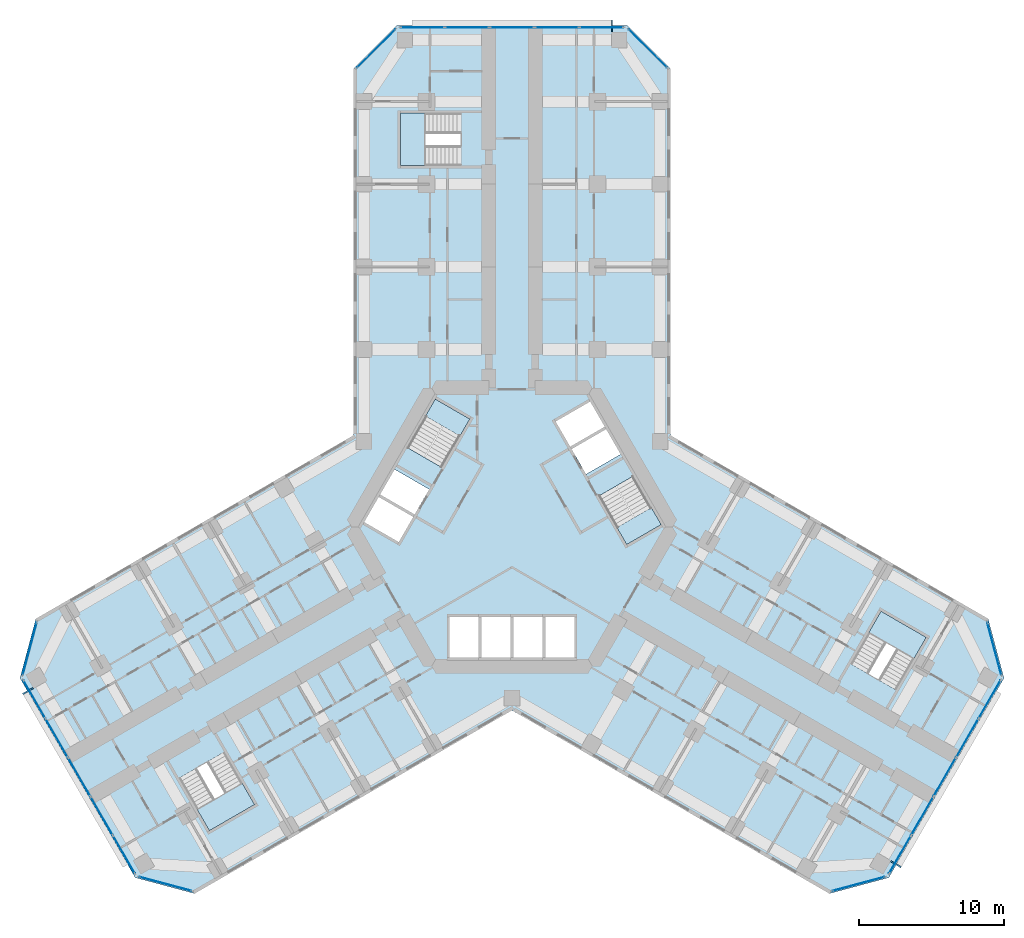
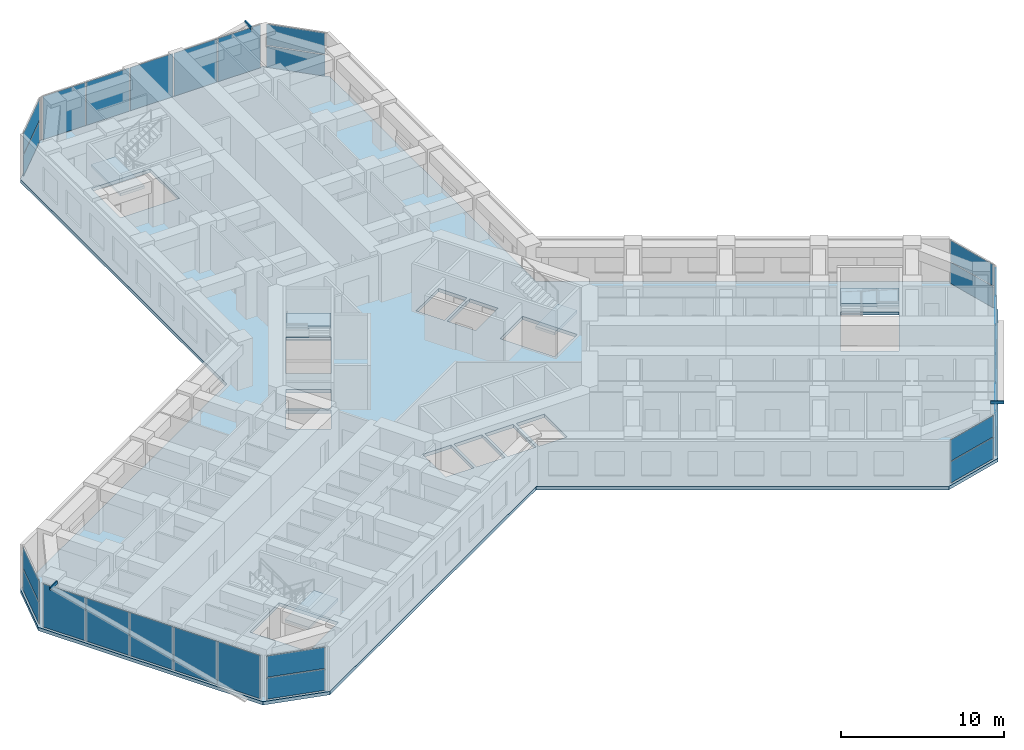
# One storey, part 7 of 18: 27 plates, 6 slabs, 3 members, 14 elements without a shape of their own.
"""IFC4 building model written with IfcOpenShell, lengths in metres."""

from ifc_helpers import new_model, si_unit, direction, frame, origin, origin_2d, place, context, subcontext, project, spatial, polyline, rectangle, hollow_rectangle, outline, extrude, material, layer, layer_set, material_profile, profile_set, type_object, element, aggregate, save


model = new_model("IFC4")

# Units and contexts
model_context = context("Model", 3, precision=1e-05, world=origin(), true_north=direction((0.0, 1.0)))
body_context = subcontext(model_context, "Body", "Model", "MODEL_VIEW")
ifc_project = project(units=[si_unit("LENGTHUNIT", "METRE"), si_unit("AREAUNIT", "SQUARE_METRE"), si_unit("VOLUMEUNIT", "CUBIC_METRE"), si_unit("PLANEANGLEUNIT", "RADIAN"), si_unit("MASSUNIT", "GRAM", prefix="KILO")], contexts=[model_context])

# Site, building, storey
site_placement = place(None, origin())
site = spatial("IfcSite", under=ifc_project, at=site_placement, CompositionType="ELEMENT")
building_placement = place(site_placement, origin())
building = spatial("IfcBuilding", under=site, at=building_placement, Name="Kosmar Iwan School Tower", CompositionType="ELEMENT")
storey_placement = place(building_placement, frame((0.0, 0.0, 25.199951171875)))
storey = spatial("IfcBuildingStorey", under=building, at=storey_placement, Name="L05", CompositionType="ELEMENT", Elevation=25.199951171875)

# Members
ifc_material_1 = material(Name="Steel S355", Category="steel")
ifc_material_profile = material_profile(ifc_material_1, hollow_rectangle(XDim=0.10009765625, YDim=0.199951171875, WallThickness=0.008056640625, at=origin_2d()), Name="RHS 200x100x8")
ifc_profile_set = profile_set([ifc_material_profile], Name="Steel S355")
member_type = type_object("IfcMemberType", Name="Fin bracket RHS 200x100", PredefinedType="USERDEFINED", material=ifc_profile_set)
for number, where, z_axis, x_axis, name in (
    (1, (26.125732421875, -23.049072265625, 3.47509765625), (0.865989634427, -0.500061949227, 0.0), (0.500061949227, 0.865989634427, 0.0), "Fin bracket L06"),
    (2, (6.898193359375, 34.14990234375, 3.47509765625), (0.0, 1.0, 0.0), (-1.0, 0.0, 0.0), "Fin bracket L06"),
):
    element("IfcMember", number, at=place(storey_placement, frame(where, z_axis=z_axis, x_axis=x_axis)), inside=storey, type_object=member_type, Name=name, ObjectType="FIN BRACKET", PredefinedType="USERDEFINED", context=body_context, shape_type="SweptSolid", body=[
        extrude(hollow_rectangle(XDim=0.10009765625, YDim=0.199951171875, WallThickness=0.008056640625, at=origin_2d()), origin(), (0.0, 0.0, 1.0), 0.830078125),
    ])
member_placement = place(storey_placement, frame((-33.02392578125, -11.10107421875, 3.47509765625), z_axis=(-0.866117008034, -0.49984130321, 0.0), x_axis=(0.49984130321, -0.866117008034, 0.0)))
element("IfcMember", 3, at=member_placement, inside=storey, type_object=member_type, Name="Fin bracket L06", ObjectType="FIN BRACKET", PredefinedType="USERDEFINED", context=body_context, shape_type="SweptSolid", body=[
    extrude(hollow_rectangle(XDim=0.10009765625, YDim=0.199951171875, WallThickness=0.008056640625, at=origin_2d()), origin(), (0.0, 0.0, 1.0), 0.829833984375),
])

# Curtain wall, plates
ifc_material_2 = material(Name="Dark glass in black aluminium frame", Category="aluminium")
curtain_wall_type_1 = type_object("IfcCurtainWallType", Name="Chamfer curtain wall dark glass", PredefinedType="USERDEFINED", material=ifc_material_2)
curtain_wall_1_placement = place(storey_placement, origin())
curtain_wall_1 = element("IfcCurtainWall", 4, at=curtain_wall_1_placement, inside=storey, type_object=curtain_wall_type_1, Name="Curtain wall L05-F02", ObjectType="FACETED CURTAIN WALL", PredefinedType="USERDEFINED")
ifc_material_3 = material(Name="Dark glass", Category="glass")
ifc_layer_1 = layer(ifc_material_3, 0.028076171875)
ifc_layer_set_1 = layer_set([ifc_layer_1], Name="Dark glass panel 28")
plate_type = type_object("IfcPlateType", Name="Dark glass panel 28", PredefinedType="CURTAIN_PANEL", material=ifc_layer_set_1)
plate_1_placement = place(storey_placement, frame((23.908203125, -24.61328125, 0.06005859375), z_axis=(0.0, 0.0, 1.0), x_axis=(0.965925875495, 0.258818861462, 0.0)))
plate_1 = element("IfcPlate", 5, at=plate_1_placement, type_object=plate_type, Name="CW2 panel 1.1", PredefinedType="CURTAIN_PANEL", context=body_context, shape_type="SweptSolid", body=[
    extrude(rectangle(XDim=3.708984375, YDim=0.028076171875, at=origin_2d()), origin(), (0.0, 0.0, 1.0), 1.5849609375),
])
plate_2_placement = place(storey_placement, frame((23.908203125, -24.61328125, 1.705078125), z_axis=(0.0, 0.0, 1.0), x_axis=(0.965925875495, 0.258818861462, 0.0)))
plate_2 = element("IfcPlate", 6, at=plate_2_placement, type_object=plate_type, Name="CW2 panel 1.2", PredefinedType="CURTAIN_PANEL", context=body_context, shape_type="SweptSolid", body=[
    extrude(rectangle(XDim=3.708984375, YDim=0.028076171875, at=origin_2d()), origin(), (0.0, 0.0, 1.0), 1.5849609375),
])
aggregate(curtain_wall_1, [plate_1, plate_2])

ifc_material_4 = material(Name="Dark glass in black aluminium frame", Category="aluminium")
curtain_wall_type_2 = type_object("IfcCurtainWallType", Name="Tower curtain wall dark glass", PredefinedType="USERDEFINED", material=ifc_material_4)
curtain_wall_2_placement = place(storey_placement, origin())
curtain_wall_2 = element("IfcCurtainWall", 7, at=curtain_wall_2_placement, inside=storey, type_object=curtain_wall_type_2, Name="Curtain wall L05-F03", ObjectType="UNITISED CURTAIN WALL", PredefinedType="USERDEFINED")
plate_3_placement = place(storey_placement, frame((26.76513671875, -22.591552734375, 0.06005859375), z_axis=(0.0, 0.0, 1.0), x_axis=(0.499999997325, 0.866025405329, 0.0)))
plate_3 = element("IfcPlate", 8, at=plate_3_placement, type_object=plate_type, Name="CW1 panel 1.1", PredefinedType="CURTAIN_PANEL", context=body_context, shape_type="SweptSolid", body=[
    extrude(rectangle(XDim=3.001708984375, YDim=0.028076171875, at=origin_2d()), origin(), (0.0, 0.0, 1.0), 3.22998046875),
])
plate_4_placement = place(storey_placement, frame((28.306640625, -19.921630859375, 0.06005859375), z_axis=(0.0, 0.0, 1.0), x_axis=(0.499999997325, 0.866025405329, 0.0)))
plate_4 = element("IfcPlate", 9, at=plate_4_placement, type_object=plate_type, Name="CW1 panel 2.1", PredefinedType="CURTAIN_PANEL", context=body_context, shape_type="SweptSolid", body=[
    extrude(rectangle(XDim=3.0341796875, YDim=0.028076171875, at=origin_2d()), origin(), (0.0, 0.0, 1.0), 3.22998046875),
])
plate_5_placement = place(storey_placement, frame((29.856201171875, -17.237548828125, 0.06005859375), z_axis=(0.0, 0.0, 1.0), x_axis=(0.499999997325, 0.866025405329, 0.0)))
plate_5 = element("IfcPlate", 10, at=plate_5_placement, type_object=plate_type, Name="CW1 panel 3.1", PredefinedType="CURTAIN_PANEL", context=body_context, shape_type="SweptSolid", body=[
    extrude(rectangle(XDim=3.0341796875, YDim=0.028076171875, at=origin_2d()), origin(), (0.0, 0.0, 1.0), 3.22998046875),
])
plate_6_placement = place(storey_placement, frame((31.40576171875, -14.553466796875, 0.06005859375), z_axis=(0.0, 0.0, 1.0), x_axis=(0.499999997325, 0.866025405329, 0.0)))
plate_6 = element("IfcPlate", 11, at=plate_6_placement, type_object=plate_type, Name="CW1 panel 4.1", PredefinedType="CURTAIN_PANEL", context=body_context, shape_type="SweptSolid", body=[
    extrude(rectangle(XDim=3.0341796875, YDim=0.028076171875, at=origin_2d()), origin(), (0.0, 0.0, 1.0), 3.22998046875),
])
plate_7_placement = place(storey_placement, frame((32.947509765625, -11.883544921875, 0.06005859375), z_axis=(0.0, 0.0, 1.0), x_axis=(0.499999997325, 0.866025405329, 0.0)))
plate_7 = element("IfcPlate", 12, at=plate_7_placement, type_object=plate_type, Name="CW1 panel 5.1", PredefinedType="CURTAIN_PANEL", context=body_context, shape_type="SweptSolid", body=[
    extrude(rectangle(XDim=3.001708984375, YDim=0.028076171875, at=origin_2d()), origin(), (0.0, 0.0, 1.0), 3.22998046875),
])
aggregate(curtain_wall_2, [plate_3, plate_4, plate_5, plate_6, plate_7])

curtain_wall_3_placement = place(storey_placement, origin())
curtain_wall_3 = element("IfcCurtainWall", 13, at=curtain_wall_3_placement, inside=storey, type_object=curtain_wall_type_1, Name="Curtain wall L05-F04", ObjectType="FACETED CURTAIN WALL", PredefinedType="USERDEFINED")
plate_8_placement = place(storey_placement, frame((33.269775390625, -8.3984375, 0.06005859375), z_axis=(0.0, 0.0, 1.0), x_axis=(-0.258818861462, 0.965925875495, 0.0)))
plate_8 = element("IfcPlate", 14, at=plate_8_placement, type_object=plate_type, Name="CW2 panel 1.1", PredefinedType="CURTAIN_PANEL", context=body_context, shape_type="SweptSolid", body=[
    extrude(rectangle(XDim=3.708984375, YDim=0.028076171875, at=origin_2d()), origin(), (0.0, 0.0, 1.0), 1.5849609375),
])
plate_9_placement = place(storey_placement, frame((33.269775390625, -8.3984375, 1.705078125), z_axis=(0.0, 0.0, 1.0), x_axis=(-0.258818861462, 0.965925875495, 0.0)))
plate_9 = element("IfcPlate", 15, at=plate_9_placement, type_object=plate_type, Name="CW2 panel 1.2", PredefinedType="CURTAIN_PANEL", context=body_context, shape_type="SweptSolid", body=[
    extrude(rectangle(XDim=3.708984375, YDim=0.028076171875, at=origin_2d()), origin(), (0.0, 0.0, 1.0), 1.5849609375),
])
aggregate(curtain_wall_3, [plate_8, plate_9])

curtain_wall_4_placement = place(storey_placement, origin())
curtain_wall_4 = element("IfcCurtainWall", 16, at=curtain_wall_4_placement, inside=storey, type_object=curtain_wall_type_1, Name="Curtain wall L05-F07", ObjectType="FACETED CURTAIN WALL", PredefinedType="USERDEFINED")
plate_10_placement = place(storey_placement, frame((9.361572265625, 33.01171875, 0.06005859375), z_axis=(0.0, 0.0, 1.0), x_axis=(-0.707106781187, 0.707106781187, 0.0)))
plate_10 = element("IfcPlate", 17, at=plate_10_placement, type_object=plate_type, Name="CW2 panel 1.1", PredefinedType="CURTAIN_PANEL", context=body_context, shape_type="SweptSolid", body=[
    extrude(rectangle(XDim=3.708984375, YDim=0.028076171875, at=origin_2d()), origin(), (0.0, 0.0, 1.0), 1.5849609375),
])
plate_11_placement = place(storey_placement, frame((9.361572265625, 33.01171875, 1.705078125), z_axis=(0.0, 0.0, 1.0), x_axis=(-0.707106781187, 0.707106781187, 0.0)))
plate_11 = element("IfcPlate", 18, at=plate_11_placement, type_object=plate_type, Name="CW2 panel 1.2", PredefinedType="CURTAIN_PANEL", context=body_context, shape_type="SweptSolid", body=[
    extrude(rectangle(XDim=3.708984375, YDim=0.028076171875, at=origin_2d()), origin(), (0.0, 0.0, 1.0), 1.5849609375),
])
aggregate(curtain_wall_4, [plate_10, plate_11])

curtain_wall_5_placement = place(storey_placement, origin())
curtain_wall_5 = element("IfcCurtainWall", 19, at=curtain_wall_5_placement, inside=storey, type_object=curtain_wall_type_2, Name="Curtain wall L05-F08", ObjectType="UNITISED CURTAIN WALL", PredefinedType="USERDEFINED")
plate_12_placement = place(storey_placement, frame((6.182373046875, 34.47509765625, 0.06005859375), z_axis=(0.0, 0.0, 1.0), x_axis=(-1.0, 0.0, 0.0)))
plate_12 = element("IfcPlate", 20, at=plate_12_placement, type_object=plate_type, Name="CW1 panel 1.1", PredefinedType="CURTAIN_PANEL", context=body_context, shape_type="SweptSolid", body=[
    extrude(rectangle(XDim=3.001708984375, YDim=0.028076171875, at=origin_2d()), origin(), (0.0, 0.0, 1.0), 3.22998046875),
])
plate_13_placement = place(storey_placement, frame((3.099365234375, 34.47509765625, 0.06005859375), z_axis=(0.0, 0.0, 1.0), x_axis=(-1.0, 0.0, 0.0)))
plate_13 = element("IfcPlate", 21, at=plate_13_placement, type_object=plate_type, Name="CW1 panel 2.1", PredefinedType="CURTAIN_PANEL", context=body_context, shape_type="SweptSolid", body=[
    extrude(rectangle(XDim=3.0341796875, YDim=0.028076171875, at=origin_2d()), origin(), (0.0, 0.0, 1.0), 3.22998046875),
])
plate_14_placement = place(storey_placement, frame((0.0, 34.47509765625, 0.06005859375), z_axis=(0.0, 0.0, 1.0), x_axis=(-1.0, 0.0, 0.0)))
plate_14 = element("IfcPlate", 22, at=plate_14_placement, type_object=plate_type, Name="CW1 panel 3.1", PredefinedType="CURTAIN_PANEL", context=body_context, shape_type="SweptSolid", body=[
    extrude(rectangle(XDim=3.0341796875, YDim=0.028076171875, at=origin_2d()), origin(), (0.0, 0.0, 1.0), 3.22998046875),
])
plate_15_placement = place(storey_placement, frame((-3.099365234375, 34.47509765625, 0.06005859375), z_axis=(0.0, 0.0, 1.0), x_axis=(-1.0, 0.0, 0.0)))
plate_15 = element("IfcPlate", 23, at=plate_15_placement, type_object=plate_type, Name="CW1 panel 4.1", PredefinedType="CURTAIN_PANEL", context=body_context, shape_type="SweptSolid", body=[
    extrude(rectangle(XDim=3.0341796875, YDim=0.028076171875, at=origin_2d()), origin(), (0.0, 0.0, 1.0), 3.22998046875),
])
plate_16_placement = place(storey_placement, frame((-6.182373046875, 34.47509765625, 0.06005859375), z_axis=(0.0, 0.0, 1.0), x_axis=(-1.0, 0.0, 0.0)))
plate_16 = element("IfcPlate", 24, at=plate_16_placement, type_object=plate_type, Name="CW1 panel 5.1", PredefinedType="CURTAIN_PANEL", context=body_context, shape_type="SweptSolid", body=[
    extrude(rectangle(XDim=3.001708984375, YDim=0.028076171875, at=origin_2d()), origin(), (0.0, 0.0, 1.0), 3.22998046875),
])
aggregate(curtain_wall_5, [plate_12, plate_13, plate_14, plate_15, plate_16])

curtain_wall_6_placement = place(storey_placement, origin())
curtain_wall_6 = element("IfcCurtainWall", 25, at=curtain_wall_6_placement, inside=storey, type_object=curtain_wall_type_1, Name="Curtain wall L05-F09", ObjectType="FACETED CURTAIN WALL", PredefinedType="USERDEFINED")
plate_17_placement = place(storey_placement, frame((-9.361572265625, 33.01171875, 0.06005859375), z_axis=(0.0, 0.0, 1.0), x_axis=(-0.707106781187, -0.707106781187, 0.0)))
plate_17 = element("IfcPlate", 26, at=plate_17_placement, type_object=plate_type, Name="CW2 panel 1.1", PredefinedType="CURTAIN_PANEL", context=body_context, shape_type="SweptSolid", body=[
    extrude(rectangle(XDim=3.708984375, YDim=0.028076171875, at=origin_2d()), origin(), (0.0, 0.0, 1.0), 1.5849609375),
])
plate_18_placement = place(storey_placement, frame((-9.361572265625, 33.01171875, 1.705078125), z_axis=(0.0, 0.0, 1.0), x_axis=(-0.707106781187, -0.707106781187, 0.0)))
plate_18 = element("IfcPlate", 27, at=plate_18_placement, type_object=plate_type, Name="CW2 panel 1.2", PredefinedType="CURTAIN_PANEL", context=body_context, shape_type="SweptSolid", body=[
    extrude(rectangle(XDim=3.708984375, YDim=0.028076171875, at=origin_2d()), origin(), (0.0, 0.0, 1.0), 1.5849609375),
])
aggregate(curtain_wall_6, [plate_17, plate_18])

curtain_wall_7_placement = place(storey_placement, origin())
curtain_wall_7 = element("IfcCurtainWall", 28, at=curtain_wall_7_placement, inside=storey, type_object=curtain_wall_type_1, Name="Curtain wall L05-F12", ObjectType="FACETED CURTAIN WALL", PredefinedType="USERDEFINED")
plate_19_placement = place(storey_placement, frame((-33.269775390625, -8.3984375, 0.06005859375), z_axis=(0.0, 0.0, 1.0), x_axis=(-0.258818861462, -0.965925875495, 0.0)))
plate_19 = element("IfcPlate", 29, at=plate_19_placement, type_object=plate_type, Name="CW2 panel 1.1", PredefinedType="CURTAIN_PANEL", context=body_context, shape_type="SweptSolid", body=[
    extrude(rectangle(XDim=3.708984375, YDim=0.028076171875, at=origin_2d()), origin(), (0.0, 0.0, 1.0), 1.5849609375),
])
plate_20_placement = place(storey_placement, frame((-33.269775390625, -8.3984375, 1.705078125), z_axis=(0.0, 0.0, 1.0), x_axis=(-0.258818861462, -0.965925875495, 0.0)))
plate_20 = element("IfcPlate", 30, at=plate_20_placement, type_object=plate_type, Name="CW2 panel 1.2", PredefinedType="CURTAIN_PANEL", context=body_context, shape_type="SweptSolid", body=[
    extrude(rectangle(XDim=3.708984375, YDim=0.028076171875, at=origin_2d()), origin(), (0.0, 0.0, 1.0), 1.5849609375),
])
aggregate(curtain_wall_7, [plate_19, plate_20])

curtain_wall_8_placement = place(storey_placement, origin())
curtain_wall_8 = element("IfcCurtainWall", 31, at=curtain_wall_8_placement, inside=storey, type_object=curtain_wall_type_2, Name="Curtain wall L05-F13", ObjectType="UNITISED CURTAIN WALL", PredefinedType="USERDEFINED")
plate_21_placement = place(storey_placement, frame((-32.947509765625, -11.883544921875, 0.06005859375), z_axis=(0.0, 0.0, 1.0), x_axis=(0.499999997325, -0.866025405329, 0.0)))
plate_21 = element("IfcPlate", 32, at=plate_21_placement, type_object=plate_type, Name="CW1 panel 1.1", PredefinedType="CURTAIN_PANEL", context=body_context, shape_type="SweptSolid", body=[
    extrude(rectangle(XDim=3.001708984375, YDim=0.028076171875, at=origin_2d()), origin(), (0.0, 0.0, 1.0), 3.22998046875),
])
plate_22_placement = place(storey_placement, frame((-31.40576171875, -14.553466796875, 0.06005859375), z_axis=(0.0, 0.0, 1.0), x_axis=(0.499999997325, -0.866025405329, 0.0)))
plate_22 = element("IfcPlate", 33, at=plate_22_placement, type_object=plate_type, Name="CW1 panel 2.1", PredefinedType="CURTAIN_PANEL", context=body_context, shape_type="SweptSolid", body=[
    extrude(rectangle(XDim=3.0341796875, YDim=0.028076171875, at=origin_2d()), origin(), (0.0, 0.0, 1.0), 3.22998046875),
])
plate_23_placement = place(storey_placement, frame((-29.856201171875, -17.237548828125, 0.06005859375), z_axis=(0.0, 0.0, 1.0), x_axis=(0.499999997325, -0.866025405329, 0.0)))
plate_23 = element("IfcPlate", 34, at=plate_23_placement, type_object=plate_type, Name="CW1 panel 3.1", PredefinedType="CURTAIN_PANEL", context=body_context, shape_type="SweptSolid", body=[
    extrude(rectangle(XDim=3.0341796875, YDim=0.028076171875, at=origin_2d()), origin(), (0.0, 0.0, 1.0), 3.22998046875),
])
plate_24_placement = place(storey_placement, frame((-28.306640625, -19.921630859375, 0.06005859375), z_axis=(0.0, 0.0, 1.0), x_axis=(0.499999997325, -0.866025405329, 0.0)))
plate_24 = element("IfcPlate", 35, at=plate_24_placement, type_object=plate_type, Name="CW1 panel 4.1", PredefinedType="CURTAIN_PANEL", context=body_context, shape_type="SweptSolid", body=[
    extrude(rectangle(XDim=3.0341796875, YDim=0.028076171875, at=origin_2d()), origin(), (0.0, 0.0, 1.0), 3.22998046875),
])
plate_25_placement = place(storey_placement, frame((-26.76513671875, -22.591552734375, 0.06005859375), z_axis=(0.0, 0.0, 1.0), x_axis=(0.499999997325, -0.866025405329, 0.0)))
plate_25 = element("IfcPlate", 36, at=plate_25_placement, type_object=plate_type, Name="CW1 panel 5.1", PredefinedType="CURTAIN_PANEL", context=body_context, shape_type="SweptSolid", body=[
    extrude(rectangle(XDim=3.001708984375, YDim=0.028076171875, at=origin_2d()), origin(), (0.0, 0.0, 1.0), 3.22998046875),
])
aggregate(curtain_wall_8, [plate_21, plate_22, plate_23, plate_24, plate_25])

curtain_wall_9_placement = place(storey_placement, origin())
curtain_wall_9 = element("IfcCurtainWall", 37, at=curtain_wall_9_placement, inside=storey, type_object=curtain_wall_type_1, Name="Curtain wall L05-F14", ObjectType="FACETED CURTAIN WALL", PredefinedType="USERDEFINED")
plate_26_placement = place(storey_placement, frame((-23.908203125, -24.61328125, 0.06005859375), z_axis=(0.0, 0.0, 1.0), x_axis=(0.965925875495, -0.258818861462, 0.0)))
plate_26 = element("IfcPlate", 38, at=plate_26_placement, type_object=plate_type, Name="CW2 panel 1.1", PredefinedType="CURTAIN_PANEL", context=body_context, shape_type="SweptSolid", body=[
    extrude(rectangle(XDim=3.708984375, YDim=0.028076171875, at=origin_2d()), origin(), (0.0, 0.0, 1.0), 1.5849609375),
])
plate_27_placement = place(storey_placement, frame((-23.908203125, -24.61328125, 1.705078125), z_axis=(0.0, 0.0, 1.0), x_axis=(0.965925875495, -0.258818861462, 0.0)))
plate_27 = element("IfcPlate", 39, at=plate_27_placement, type_object=plate_type, Name="CW2 panel 1.2", PredefinedType="CURTAIN_PANEL", context=body_context, shape_type="SweptSolid", body=[
    extrude(rectangle(XDim=3.708984375, YDim=0.028076171875, at=origin_2d()), origin(), (0.0, 0.0, 1.0), 1.5849609375),
])
aggregate(curtain_wall_9, [plate_26, plate_27])

# Stair, slab
ifc_material_5 = material(Name="Concrete C35/45", Category="concrete")
stair_type_1 = type_object("IfcStairType", Name="Escape stair 3600", PredefinedType="HALF_TURN_STAIR", material=ifc_material_5)
stair_1_placement = place(storey_placement, origin())
stair_1 = element("IfcStair", 40, at=stair_1_placement, inside=storey, type_object=stair_type_1, Name="Stair WS1 L05", PredefinedType="HALF_TURN_STAIR")
ifc_material_6 = material(Name="Concrete C35/45", Category="concrete")
ifc_layer_2 = layer(ifc_material_6, 0.199951171875)
ifc_layer_set_2 = layer_set([ifc_layer_2], Name="Escape stair landing 200")
slab_type_1 = type_object("IfcSlabType", Name="Escape stair landing 200", PredefinedType="LANDING", material=ifc_layer_set_2)
slab_1_placement = place(storey_placement, frame((0.0, 0.0, 1.60009765625)))
slab_1 = element("IfcSlab", 41, at=slab_1_placement, type_object=slab_type_1, Name="WS1 landing 1", PredefinedType="LANDING", context=body_context, shape_type="SweptSolid", body=[
    extrude(outline(polyline([(-6.0, 24.949951171875), (-6.0, 28.550048828125), (-7.699951171875, 28.550048828125), (-7.699951171875, 24.949951171875), (-6.0, 24.949951171875)])), origin(), (0.0, 0.0, 1.0), 0.199951171875),
])
aggregate(stair_1, [slab_1])

stair_2_placement = place(storey_placement, origin())
stair_2 = element("IfcStair", 42, at=stair_2_placement, inside=storey, type_object=stair_type_1, Name="Stair WS2 L05", PredefinedType="HALF_TURN_STAIR")
slab_2_placement = place(storey_placement, frame((0.0, 0.0, 1.60009765625)))
slab_2 = element("IfcSlab", 43, at=slab_2_placement, type_object=slab_type_1, Name="WS2 landing 1", PredefinedType="LANDING", context=body_context, shape_type="SweptSolid", body=[
    extrude(outline(polyline([(-18.607421875, -17.671142578125), (-21.72509765625, -19.47119140625), (-20.875, -20.943359375), (-17.75732421875, -19.143310546875), (-18.607421875, -17.671142578125)])), origin(), (0.0, 0.0, 1.0), 0.199951171875),
])
aggregate(stair_2, [slab_2])

stair_3_placement = place(storey_placement, origin())
stair_3 = element("IfcStair", 44, at=stair_3_placement, inside=storey, type_object=stair_type_1, Name="Stair WS3 L05", PredefinedType="HALF_TURN_STAIR")
slab_3_placement = place(storey_placement, frame((0.0, 0.0, 1.60009765625)))
slab_3 = element("IfcSlab", 45, at=slab_3_placement, type_object=slab_type_1, Name="WS3 landing 1", PredefinedType="LANDING", context=body_context, shape_type="SweptSolid", body=[
    extrude(outline(polyline([(24.607421875, -7.27880859375), (27.72509765625, -9.078857421875), (28.574951171875, -7.606689453125), (25.457275390625, -5.806640625), (24.607421875, -7.27880859375)])), origin(), (0.0, 0.0, 1.0), 0.199951171875),
])
aggregate(stair_3, [slab_3])

# Slab
ifc_material_7 = material(Name="Concrete C35/45", Category="concrete")
ifc_layer_3 = layer(ifc_material_7, 0.25)
ifc_layer_set_3 = layer_set([ifc_layer_3], Name="Floor slab 250")
slab_type_2 = type_object("IfcSlabType", Name="Floor slab 250", PredefinedType="FLOOR", material=ifc_layer_set_3)
slab_4_placement = place(storey_placement, frame((0.0, 0.0, -0.25)))
element("IfcSlab", 46, at=slab_4_placement, inside=storey, type_object=slab_type_2, Name="L05 floor slab", PredefinedType="FLOOR", context=body_context, shape_type="SweptSolid", body=[
    extrude(outline(polyline([(-21.891357421875, -25.282958984375), (0.0, -12.64404296875), (21.891357421875, -25.282958984375), (25.989501953125, -24.184814453125), (33.939453125, -10.4150390625), (32.84130859375, -6.317138671875), (10.949951171875, 6.322021484375), (10.949951171875, 31.60009765625), (7.949951171875, 34.60009765625), (-7.949951171875, 34.60009765625), (-10.949951171875, 31.60009765625), (-10.949951171875, 6.322021484375), (-32.84130859375, -6.317138671875), (-33.939453125, -10.4150390625), (-25.989501953125, -24.184814453125), (-21.891357421875, -25.282958984375)]), holes=[polyline([(7.91259765625, -1.205078125), (10.294189453125, 0.169921875), (8.3642578125, 3.5126953125), (5.982666015625, 2.1376953125), (7.91259765625, -1.205078125)]), polyline([(-2.91259765625, 7.455078125), (-5.294189453125, 8.830078125), (-7.22412109375, 5.4873046875), (-4.8427734375, 4.1123046875), (-2.91259765625, 7.455078125)]), polyline([(-5.712646484375, 2.60546875), (-8.09423828125, 3.98046875), (-9.09423828125, 2.248291015625), (-6.712646484375, 0.873291015625), (-5.712646484375, 2.60546875)]), polyline([(-6.812744140625, 0.7001953125), (-9.1943359375, 2.0751953125), (-10.1943359375, 0.343017578125), (-7.812744140625, -1.031982421875), (-6.812744140625, 0.7001953125)]), polyline([(5.112548828125, 3.64453125), (7.494140625, 5.01953125), (6.494140625, 6.751708984375), (4.112548828125, 5.376708984375), (5.112548828125, 3.64453125)]), polyline([(4.0126953125, 5.5498046875), (6.394287109375, 6.9248046875), (5.394287109375, 8.656982421875), (3.0126953125, 7.281982421875), (4.0126953125, 5.5498046875)]), polyline([(-4.300048828125, -6.199951171875), (-4.300048828125, -9.0), (-2.300048828125, -9.0), (-2.300048828125, -6.199951171875), (-4.300048828125, -6.199951171875)]), polyline([(-2.10009765625, -6.199951171875), (-2.10009765625, -9.0), (-0.10009765625, -9.0), (-0.10009765625, -6.199951171875), (-2.10009765625, -6.199951171875)]), polyline([(0.10009765625, -6.199951171875), (0.10009765625, -9.0), (2.10009765625, -9.0), (2.10009765625, -6.199951171875), (0.10009765625, -6.199951171875)]), polyline([(2.300048828125, -6.199951171875), (2.300048828125, -9.0), (4.300048828125, -9.0), (4.300048828125, -6.199951171875), (2.300048828125, -6.199951171875)]), polyline([(-3.52001953125, 24.949951171875), (-3.52001953125, 28.550048828125), (-7.699951171875, 28.550048828125), (-7.699951171875, 24.949951171875), (-3.52001953125, 24.949951171875)]), polyline([(-19.847412109375, -15.5234375), (-22.965087890625, -17.323486328125), (-20.875, -20.943359375), (-17.75732421875, -19.143310546875), (-19.847412109375, -15.5234375)]), polyline([(23.367431640625, -9.426513671875), (26.485107421875, -11.2265625), (28.574951171875, -7.606689453125), (25.457275390625, -5.806640625), (23.367431640625, -9.426513671875)])]), origin(), (0.0, 0.0, 1.0), 0.25),
])

# Stair, slab
ifc_material_8 = material(Name="Concrete C35/45", Category="concrete")
stair_type_2 = type_object("IfcStairType", Name="Core stair 2750", PredefinedType="HALF_TURN_STAIR", material=ifc_material_8)
stair_4_placement = place(storey_placement, origin())
stair_4 = element("IfcStair", 47, at=stair_4_placement, inside=storey, type_object=stair_type_2, Name="Stair ST2 L05", PredefinedType="HALF_TURN_STAIR")
ifc_material_9 = material(Name="Concrete C35/45", Category="concrete")
ifc_layer_4 = layer(ifc_material_9, 0.199951171875)
ifc_layer_set_4 = layer_set([ifc_layer_4], Name="Stair landing 200")
slab_type_3 = type_object("IfcSlabType", Name="Stair landing 200", PredefinedType="LANDING", material=ifc_layer_set_4)
slab_5_placement = place(storey_placement, frame((0.0, 0.0, 1.60009765625)))
slab_5 = element("IfcSlab", 48, at=slab_5_placement, type_object=slab_type_3, Name="ST2 landing 1", PredefinedType="LANDING", context=body_context, shape_type="SweptSolid", body=[
    extrude(outline(polyline([(-2.91259765625, 7.455078125), (-5.294189453125, 8.830078125), (-5.97412109375, 7.65234375), (-3.5927734375, 6.27734375), (-2.91259765625, 7.455078125)])), origin(), (0.0, 0.0, 1.0), 0.199951171875),
])
aggregate(stair_4, [slab_5])

stair_5_placement = place(storey_placement, origin())
stair_5 = element("IfcStair", 49, at=stair_5_placement, inside=storey, type_object=stair_type_2, Name="Stair ST1 L05", PredefinedType="HALF_TURN_STAIR")
slab_6_placement = place(storey_placement, frame((0.0, 0.0, 1.60009765625)))
slab_6 = element("IfcSlab", 50, at=slab_6_placement, type_object=slab_type_3, Name="ST1 landing 1", PredefinedType="LANDING", context=body_context, shape_type="SweptSolid", body=[
    extrude(outline(polyline([(7.91259765625, -1.205078125), (10.294189453125, 0.169921875), (9.6142578125, 1.34765625), (7.232666015625, -0.02734375), (7.91259765625, -1.205078125)])), origin(), (0.0, 0.0, 1.0), 0.199951171875),
])
aggregate(stair_5, [slab_6])

save(model, "model.ifc")
